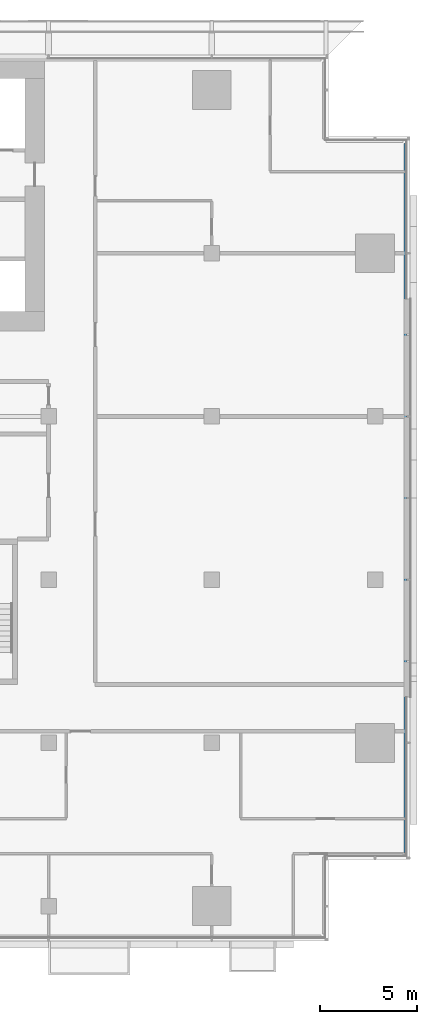
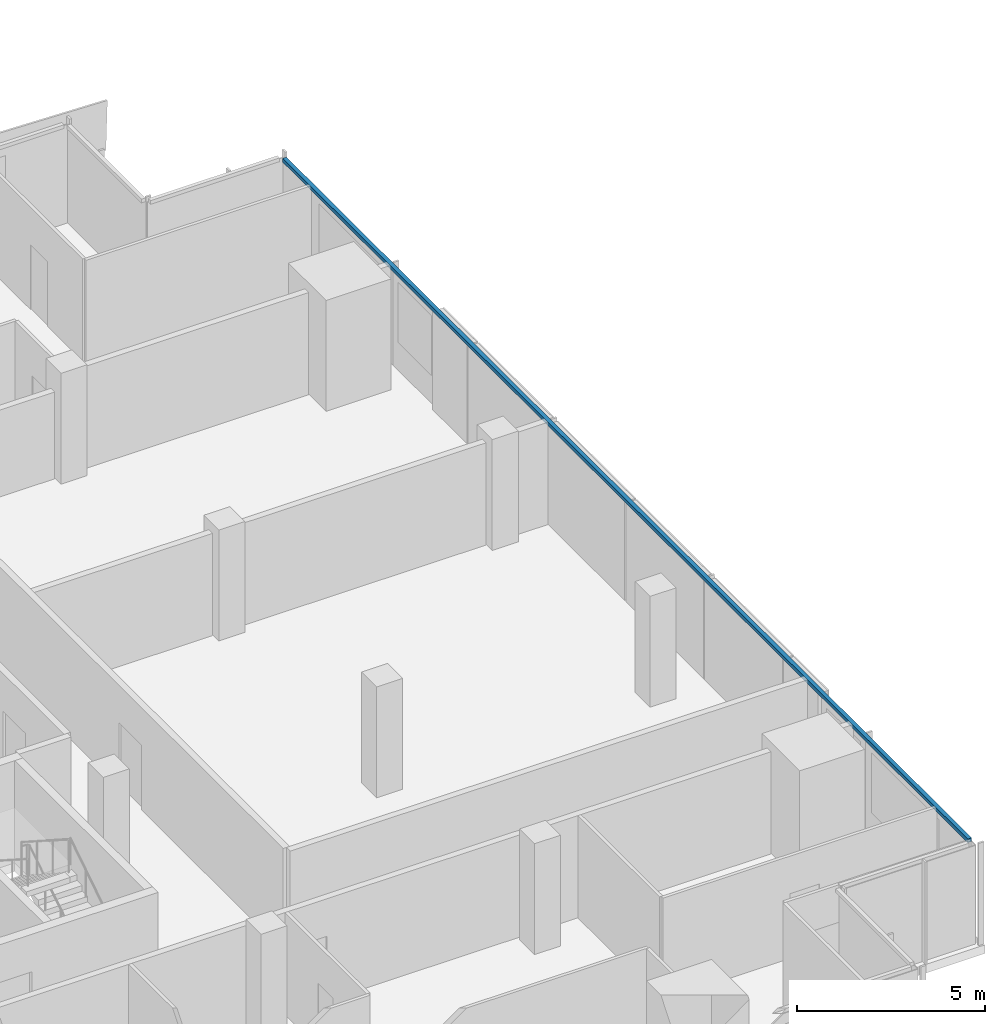
# One storey, part 15 of 30: 1 member, 1 element without a shape of its own.
"""IFC4 building model written with IfcOpenShell, lengths in metres."""

import ifcopenshell
import ifcopenshell.guid

model = None  # the IFC model being written
_history = None  # IfcOwnerHistory: only IFC2X3 demands one
_inside = {}  # id of a spatial element -> (the spatial element, [elements in it])
_under = {}  # id of a project, library or spatial element -> (it, [spatial elements below it])
_declared = {}  # id of a project -> (the project, [libraries it declares])
_typed = {}  # id of a type object -> (the type object, [elements of that type])
_made_of = {}  # id of a material, layer set ... -> (it, [elements and type objects made of it])


def new_model(schema):
    """Start an empty IFC model of exactly this schema.

    Asked for "IFC4X3", IfcOpenShell would pick the latest addendum, in which some entities
    have other attributes; the version numbers below select the first issue.
    IFC2X3 requires an IfcOwnerHistory on every rooted entity: one is made here for all.
    """
    global model, _history
    if schema == "IFC4X3":
        model = ifcopenshell.file(schema_version=(4, 3, 0, 0))
    else:
        model = ifcopenshell.file(schema=schema)
    _inside.clear()
    _under.clear()
    _declared.clear()
    _typed.clear()
    _made_of.clear()
    _history = None
    if model.schema == "IFC2X3":
        org = make("IfcOrganization", Name="unknown")
        user = make(
            "IfcPersonAndOrganization",
            ThePerson=make("IfcPerson", FamilyName="unknown"),
            TheOrganization=org,
        )
        app = make(
            "IfcApplication",
            ApplicationDeveloper=org,
            Version="unknown",
            ApplicationFullName="unknown",
            ApplicationIdentifier="unknown",
        )
        _history = make(
            "IfcOwnerHistory",
            OwningUser=user,
            OwningApplication=app,
            ChangeAction="ADDED",
            CreationDate=0,
        )
    return model


def make(cls, **values):
    """One entity of the class cls with the attributes given. An attribute that is None is left unset."""
    return model.create_entity(
        cls, **{name: value for name, value in values.items() if value is not None}
    )


def rooted(cls, **values):
    """An entity with a GlobalId (a new one), such as an element, a storey or a relation."""
    return make(cls, GlobalId=ifcopenshell.guid.new(), OwnerHistory=_history, **values)


def si_unit(unit_type, name, prefix=None):
    """IfcSIUnit, for example si_unit("LENGTHUNIT", "METRE", prefix="MILLI")."""
    return make("IfcSIUnit", UnitType=unit_type, Prefix=prefix, Name=name)


def assignment(units):
    """IfcUnitAssignment: the units of a project."""
    return None if units is None else make("IfcUnitAssignment", Units=units)


def point(xyz):
    """IfcCartesianPoint."""
    return None if xyz is None else make("IfcCartesianPoint", Coordinates=xyz)


def direction(xyz):
    """IfcDirection."""
    return None if xyz is None else make("IfcDirection", DirectionRatios=xyz)


def frame(location, z_axis=None, x_axis=None):
    """IfcAxis2Placement3D, a coordinate frame: its origin and axes. An axis left out is left unset."""
    return make(
        "IfcAxis2Placement3D",
        Location=point(location),
        Axis=direction(z_axis),
        RefDirection=direction(x_axis),
    )


def frame_2d(location, x_axis=None):
    """IfcAxis2Placement2D, a coordinate frame in the plane: its origin and x axis."""
    return make(
        "IfcAxis2Placement2D", Location=point(location), RefDirection=direction(x_axis)
    )


def origin():
    """The frame at (0, 0, 0) with its axes left unset."""
    return frame((0.0, 0.0, 0.0))


def origin_2d():
    """The frame at (0, 0) in the plane with its x axis left unset."""
    return frame_2d((0.0, 0.0))


def place(relative_to, where):
    """IfcLocalPlacement: puts the frame where relative to a parent placement (None: the world)."""
    return make(
        "IfcLocalPlacement", PlacementRelTo=relative_to, RelativePlacement=where
    )


def context(
    kind, dimensions, precision=None, world=None, true_north=None, identifier=None
):
    """IfcGeometricRepresentationContext, for example the 3D "Model" context."""
    return make(
        "IfcGeometricRepresentationContext",
        ContextIdentifier=identifier,
        ContextType=kind,
        CoordinateSpaceDimension=dimensions,
        Precision=precision,
        WorldCoordinateSystem=world,
        TrueNorth=true_north,
    )


def subcontext(parent, identifier, kind, view, scale=None):
    """IfcGeometricRepresentationSubContext, for example "Body" below "Model"."""
    return make(
        "IfcGeometricRepresentationSubContext",
        ContextIdentifier=identifier,
        ContextType=kind,
        ParentContext=parent,
        TargetScale=scale,
        TargetView=view,
    )


def project(units=None, contexts=None):
    """IfcProject with its units and contexts."""
    return rooted(
        "IfcProject",
        Name="project",
        RepresentationContexts=contexts,
        UnitsInContext=assignment(units),
    )


def spatial(cls, under=None, at=None, **own):
    """A site, building, storey or space (cls), placed at a placement, below another one or the project."""
    s = rooted(cls, ObjectPlacement=at, **own)
    if under is not None:
        _under.setdefault(under.id(), (under, []))[1].append(s)
    return s


def profile(cls, at=None, kind="AREA", **sizes):
    """A parametric profile (cls). Its sizes go by their IFC names, for example OverallWidth=200.0."""
    return make(cls, ProfileType=kind, Position=at, **sizes)


def rectangle(**sizes):
    """IfcRectangleProfileDef."""
    return profile("IfcRectangleProfileDef", **sizes)


def extrude(swept, where, along, depth):
    """IfcExtrudedAreaSolid: the profile swept, set in the frame where, extruded along a direction by depth."""
    return make(
        "IfcExtrudedAreaSolid",
        SweptArea=swept,
        Position=where,
        ExtrudedDirection=direction(along),
        Depth=depth,
    )


def shape(context_of_items, identifier, shape_type, items):
    """IfcShapeRepresentation: the items that make up one representation, for example the "Body"."""
    return make(
        "IfcShapeRepresentation",
        ContextOfItems=context_of_items,
        RepresentationIdentifier=identifier,
        RepresentationType=shape_type,
        Items=items,
    )


def material(Name=None, Category=None):
    """IfcMaterial."""
    return make("IfcMaterial", Name=Name, Category=Category)


def material_profile(
    of_material, cross_section, Name=None, Category=None, Priority=None
):
    """IfcMaterialProfile: a cross section and its material."""
    return make(
        "IfcMaterialProfile",
        Name=Name,
        Material=of_material,
        Profile=cross_section,
        Priority=Priority,
        Category=Category,
    )


def profile_set(profiles, Name=None, composite=None):
    """IfcMaterialProfileSet."""
    return make(
        "IfcMaterialProfileSet",
        Name=Name,
        MaterialProfiles=profiles,
        CompositeProfile=composite,
    )


def made_of(thing, what):
    """Note that an element or type object is made of a material, layer set ...; save() writes the relation."""
    if what is not None:
        _made_of.setdefault(what.id(), (what, []))[1].append(thing)
    return thing


def type_object(cls, material=None, **own):
    """A type object (cls), such as IfcWallType, which elements share."""
    return made_of(rooted(cls, **own), material)


def element(
    cls,
    number,
    at=None,
    inside=None,
    cuts=None,
    type_object=None,
    material=None,
    context=None,
    identifier="Body",
    shape_type=None,
    held_by="IfcProductDefinitionShape",
    body=None,
    shapes=None,
    **own,
):
    """One element of the class cls, such as IfcWall. Its Tag is "e" and its number.

    at: its placement. inside: the storey or other place that contains it. cuts: it is an
    opening in that element (IfcRelVoidsElement). A single representation is given by context,
    identifier, shape_type and body (its items); several are given by shapes. held_by: the class
    of the entity that holds the representations. save() writes the other relations.
    """
    e = rooted(cls, Tag="e%d" % number, ObjectPlacement=at, **own)
    if body is not None:
        shapes = [shape(context, identifier, shape_type, body)]
    if shapes is not None:
        e.Representation = make(held_by, Representations=shapes)
    if inside is not None:
        _inside.setdefault(inside.id(), (inside, []))[1].append(e)
    if cuts is not None:
        rooted(
            "IfcRelVoidsElement", RelatingBuildingElement=cuts, RelatedOpeningElement=e
        )
    if type_object is not None:
        _typed.setdefault(type_object.id(), (type_object, []))[1].append(e)
    return made_of(e, material)


def aggregate(whole, parts):
    """IfcRelAggregates: a whole, such as a stair, and the parts it consists of."""
    return rooted("IfcRelAggregates", RelatingObject=whole, RelatedObjects=parts)


def save(model, path):
    """Write the relations noted so far, then the file.

    IfcRelAggregates (storeys below a building ...), IfcRelContainedInSpatialStructure (elements
    in a storey), IfcRelDefinesByType, IfcRelAssociatesMaterial and IfcRelDeclares: one each for
    every whole, place, type object, material and project.
    """
    for whole, parts in _under.values():
        aggregate(whole, parts)
    for where, things in _inside.values():
        rooted(
            "IfcRelContainedInSpatialStructure",
            RelatedElements=things,
            RelatingStructure=where,
        )
    for kind, things in _typed.values():
        rooted("IfcRelDefinesByType", RelatedObjects=things, RelatingType=kind)
    for what, things in _made_of.values():
        rooted("IfcRelAssociatesMaterial", RelatedObjects=things, RelatingMaterial=what)
    for by, libraries in _declared.values():
        rooted("IfcRelDeclares", RelatingContext=by, RelatedDefinitions=libraries)
    model.write(path)


model = new_model("IFC4")

# Units and contexts
model_context = context("Model", 3, precision=1e-05, world=origin(), true_north=direction((0.0, 1.0)))
body_context = subcontext(model_context, "Body", "Model", "MODEL_VIEW")
ifc_project = project(units=[si_unit("LENGTHUNIT", "METRE"), si_unit("AREAUNIT", "SQUARE_METRE"), si_unit("VOLUMEUNIT", "CUBIC_METRE"), si_unit("PLANEANGLEUNIT", "RADIAN"), si_unit("MASSUNIT", "GRAM", prefix="KILO")], contexts=[model_context])

# Site, building, storey
site_placement = place(None, origin())
site = spatial("IfcSite", under=ifc_project, at=site_placement, CompositionType="ELEMENT")
building_placement = place(site_placement, origin())
building = spatial("IfcBuilding", under=site, at=building_placement, Name="Saffron Gate Tower", CompositionType="ELEMENT")
storey_placement = place(building_placement, frame((0.0, 0.0, 95.25)))
storey = spatial("IfcBuildingStorey", under=building, at=storey_placement, Name="L21", CompositionType="ELEMENT", Elevation=95.25)

# Curtain wall, member
ifc_material = material(Name="Aluminium, bronze anodised", Category="aluminium")
curtain_wall_type = type_object("IfcCurtainWallType", Name="CWS2 curtain wall side facades", PredefinedType="NOTDEFINED", material=ifc_material)
curtain_wall_placement = place(storey_placement, origin())
curtain_wall = element("IfcCurtainWall", 1, at=curtain_wall_placement, inside=storey, type_object=curtain_wall_type, Name="CWS2 run 4", PredefinedType="NOTDEFINED")
ifc_material_profile = material_profile(ifc_material, rectangle(XDim=0.1201171875, YDim=0.1201171875, at=origin_2d()))
ifc_profile_set = profile_set([ifc_material_profile], Name="Aluminium, bronze anodised")
member_type = type_object("IfcMemberType", Name="CWS2 head transom", PredefinedType="USERDEFINED", material=ifc_profile_set)
member_placement = place(storey_placement, frame((126.951904296875, 34.568115234375, 3.260009765625), z_axis=(0.0, 1.0, 0.0), x_axis=(-1.0, 0.0, 0.0)))
member = element("IfcMember", 2, at=member_placement, type_object=member_type, Name="CWS2 head transom", ObjectType="TRANSOM", PredefinedType="USERDEFINED", context=body_context, shape_type="SweptSolid", body=[
    extrude(rectangle(XDim=0.1201171875, YDim=0.1201171875, at=origin_2d()), origin(), (0.0, 0.0, 1.0), 36.4638671875),
])
aggregate(curtain_wall, [member])

save(model, "model.ifc")
